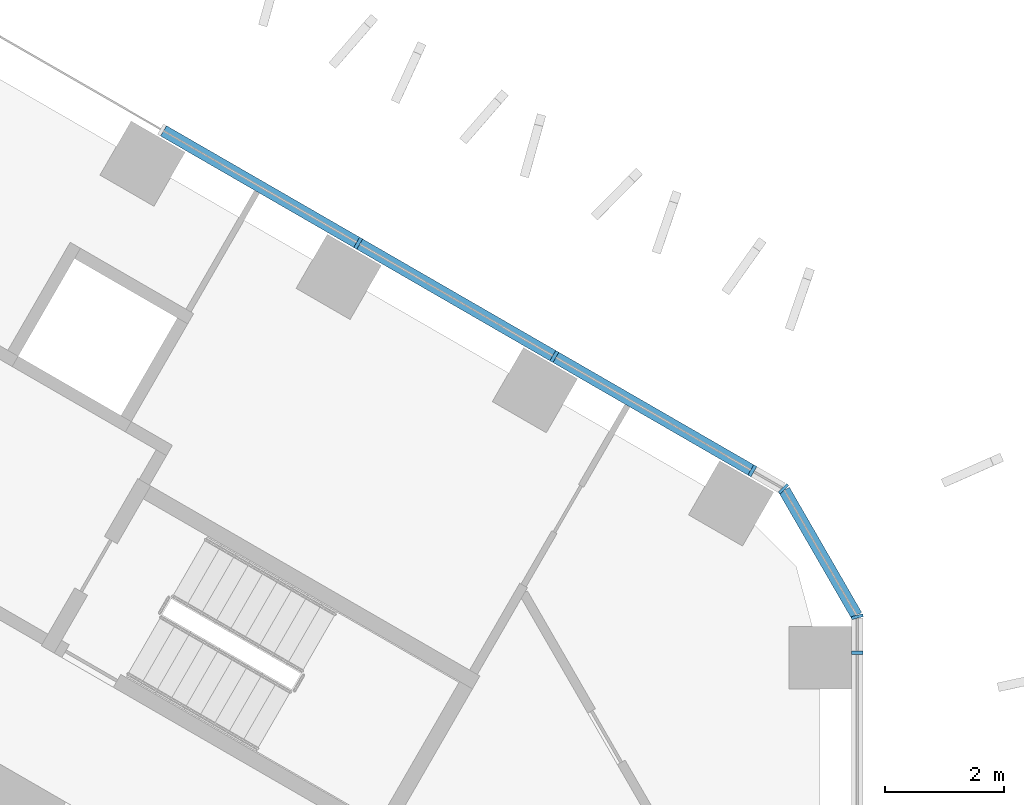
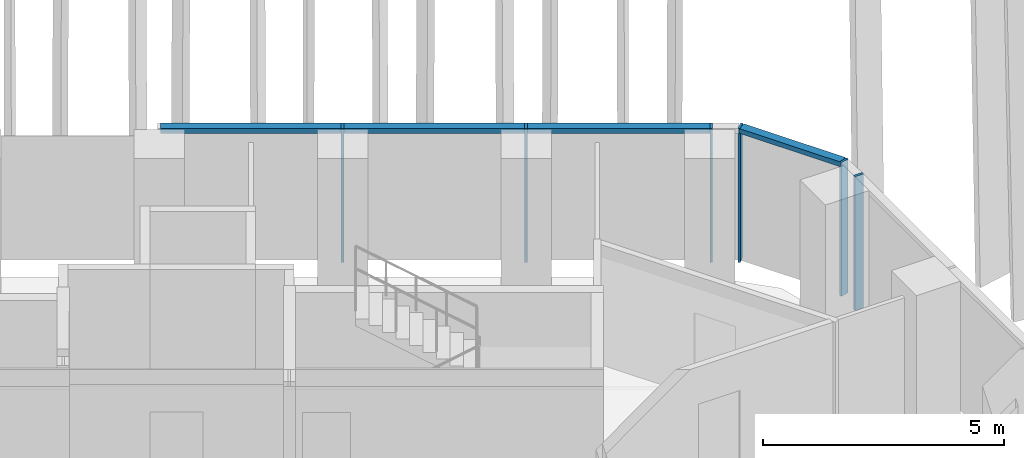
# One storey, part 6 of 18: 8 members, 3 elements without a shape of their own.
"""IFC4 building model written with IfcOpenShell, lengths in metres."""

from ifc_helpers import new_model, si_unit, direction, frame, origin, origin_2d, place, context, subcontext, project, spatial, rectangle, extrude, material, layer, layer_set, material_profile, profile_set, type_object, element, aggregate, save


model = new_model("IFC4")

# Units and contexts
model_context = context("Model", 3, precision=1e-05, world=origin(), true_north=direction((0.0, 1.0)))
body_context = subcontext(model_context, "Body", "Model", "MODEL_VIEW")
ifc_project = project(units=[si_unit("LENGTHUNIT", "METRE"), si_unit("AREAUNIT", "SQUARE_METRE"), si_unit("VOLUMEUNIT", "CUBIC_METRE"), si_unit("PLANEANGLEUNIT", "RADIAN"), si_unit("MASSUNIT", "GRAM", prefix="KILO")], contexts=[model_context])

# Site, building, storey
site_placement = place(None, origin())
site = spatial("IfcSite", under=ifc_project, at=site_placement, CompositionType="ELEMENT")
building_placement = place(site_placement, origin())
building = spatial("IfcBuilding", under=site, at=building_placement, Name="Ayvan Gate Tower", CompositionType="ELEMENT")
storey_placement = place(building_placement, frame((0.0, 0.0, 83.10009765625)))
storey = spatial("IfcBuildingStorey", under=building, at=storey_placement, Name="L21", CompositionType="ELEMENT", Elevation=83.10009765625)

# Curtain wall, member
ifc_material = material(Name="Bronze anodised aluminium", Category="aluminium")
ifc_layer_1 = layer(ifc_material, 0.199951171875)
ifc_layer_set_1 = layer_set([ifc_layer_1], Name="Bronze anodised aluminium")
curtain_wall_type_1 = type_object("IfcCurtainWallType", Name="Stick curtain wall CW-1", PredefinedType="NOTDEFINED", material=ifc_layer_set_1)
curtain_wall_1_placement = place(storey_placement, origin())
curtain_wall_1 = element("IfcCurtainWall", 1, at=curtain_wall_1_placement, inside=storey, type_object=curtain_wall_type_1, Name="Stick curtain wall CW-1 L21", PredefinedType="NOTDEFINED")
ifc_material_profile_1 = material_profile(ifc_material, rectangle(XDim=0.199951171875, YDim=0.06005859375, at=origin_2d()), Name="Stick curtain wall CW-1 mullion 200 x 60")
ifc_profile_set_1 = profile_set([ifc_material_profile_1], Name="Bronze anodised aluminium")
member_type_1 = type_object("IfcMemberType", Name="Stick curtain wall CW-1 mullion 200 x 60", PredefinedType="MULLION", material=ifc_profile_set_1)
member_1_placement = place(storey_placement, frame((20.110595703125, 9.5703125, 0.0), z_axis=(0.0, 0.0, 1.0), x_axis=(1.0, 0.0, 0.0)))
member_1 = element("IfcMember", 2, at=member_1_placement, type_object=member_type_1, Name="CW-1 mullion 6", PredefinedType="MULLION", context=body_context, shape_type="SweptSolid", body=[
    extrude(rectangle(XDim=0.199951171875, YDim=0.06005859375, at=origin_2d()), origin(), (0.0, 0.0, 1.0), 3.39990234375),
])
aggregate(curtain_wall_1, [member_1])

# Curtain wall, members
curtain_wall_2_placement = place(storey_placement, origin())
curtain_wall_2 = element("IfcCurtainWall", 3, at=curtain_wall_2_placement, inside=storey, type_object=curtain_wall_type_1, Name="Stick curtain wall CW-1 L21", PredefinedType="NOTDEFINED")
member_2_placement = place(storey_placement, frame((18.34326171875, 12.631103515625, 0.0), z_axis=(0.0, 0.0, 1.0), x_axis=(0.5, 0.866025403784, 0.0)))
member_2 = element("IfcMember", 4, at=member_2_placement, type_object=member_type_1, Name="CW-1 mullion 1", PredefinedType="MULLION", context=body_context, shape_type="SweptSolid", body=[
    extrude(rectangle(XDim=0.199951171875, YDim=0.06005859375, at=origin_2d()), origin(), (0.0, 0.0, 1.0), 3.39990234375),
])
member_3_placement = place(storey_placement, frame((15.010009765625, 14.5556640625, 0.0), z_axis=(0.0, 0.0, 1.0), x_axis=(0.5, 0.866025403784, 0.0)))
member_3 = element("IfcMember", 5, at=member_3_placement, type_object=member_type_1, Name="CW-1 mullion 2", PredefinedType="MULLION", context=body_context, shape_type="SweptSolid", body=[
    extrude(rectangle(XDim=0.199951171875, YDim=0.06005859375, at=origin_2d()), origin(), (0.0, 0.0, 1.0), 3.39990234375),
])
member_4_placement = place(storey_placement, frame((11.70703125, 16.462646484375, 0.0), z_axis=(0.0, 0.0, 1.0), x_axis=(0.5, 0.866025403784, 0.0)))
member_4 = element("IfcMember", 6, at=member_4_placement, type_object=member_type_1, Name="CW-1 mullion 3", PredefinedType="MULLION", context=body_context, shape_type="SweptSolid", body=[
    extrude(rectangle(XDim=0.199951171875, YDim=0.06005859375, at=origin_2d()), origin(), (0.0, 0.0, 1.0), 3.39990234375),
])
ifc_material_profile_2 = material_profile(ifc_material, rectangle(XDim=0.199951171875, YDim=0.1201171875, at=origin_2d()), Name="Stick curtain wall CW-1 transom 200 x 120")
ifc_profile_set_2 = profile_set([ifc_material_profile_2], Name="Bronze anodised aluminium")
member_type_2 = type_object("IfcMemberType", Name="Stick curtain wall CW-1 transom 200 x 120", PredefinedType="USERDEFINED", material=ifc_profile_set_2)
member_5_placement = place(storey_placement, frame((18.34326171875, 12.631103515625, 3.33984375), z_axis=(-0.866019009971, 0.500011074246, 0.0), x_axis=(-0.500011074246, -0.866019009971, 0.0)))
member_5 = element("IfcMember", 7, at=member_5_placement, type_object=member_type_2, Name="CW-1 transom 1", ObjectType="TRANSOM", PredefinedType="USERDEFINED", context=body_context, shape_type="SweptSolid", body=[
    extrude(rectangle(XDim=0.199951171875, YDim=0.1201171875, at=origin_2d()), origin(), (0.0, 0.0, 1.0), 11.447021484375),
])
aggregate(curtain_wall_2, [member_2, member_3, member_4, member_5])

ifc_layer_2 = layer(ifc_material, 0.199951171875)
ifc_layer_set_2 = layer_set([ifc_layer_2], Name="Bronze anodised aluminium")
curtain_wall_type_2 = type_object("IfcCurtainWallType", Name="Stick curtain wall CW-6", PredefinedType="NOTDEFINED", material=ifc_layer_set_2)
curtain_wall_3_placement = place(storey_placement, origin())
curtain_wall_3 = element("IfcCurtainWall", 8, at=curtain_wall_3_placement, inside=storey, type_object=curtain_wall_type_2, Name="Stick curtain wall CW-6 L21", PredefinedType="NOTDEFINED")
ifc_material_profile_3 = material_profile(ifc_material, rectangle(XDim=0.199951171875, YDim=0.050048828125, at=origin_2d()), Name="Stick curtain wall CW-6 mullion 200 x 50")
ifc_profile_set_3 = profile_set([ifc_material_profile_3], Name="Bronze anodised aluminium")
member_type_3 = type_object("IfcMemberType", Name="Stick curtain wall CW-6 mullion 200 x 50", PredefinedType="MULLION", material=ifc_profile_set_3)
member_6_placement = place(storey_placement, frame((20.110595703125, 10.17529296875, 0.0), z_axis=(0.0, 0.0, 1.0), x_axis=(0.965925826289, 0.258819045103, 0.0)))
member_6 = element("IfcMember", 9, at=member_6_placement, type_object=member_type_3, Name="CW-6 mullion 2", PredefinedType="MULLION", context=body_context, shape_type="SweptSolid", body=[
    extrude(rectangle(XDim=0.199951171875, YDim=0.050048828125, at=origin_2d()), origin(), (0.0, 0.0, 1.0), 3.39990234375),
])
member_7_placement = place(storey_placement, frame((18.8671875, 12.32861328125, 0.0), z_axis=(0.0, 0.0, 1.0), x_axis=(0.707106781187, 0.707106781187, 0.0)))
member_7 = element("IfcMember", 10, at=member_7_placement, type_object=member_type_3, Name="CW-6 mullion 3", PredefinedType="MULLION", context=body_context, shape_type="SweptSolid", body=[
    extrude(rectangle(XDim=0.199951171875, YDim=0.050048828125, at=origin_2d()), origin(), (0.0, 0.0, 1.0), 3.39990234375),
])
ifc_material_profile_4 = material_profile(ifc_material, rectangle(XDim=0.199951171875, YDim=0.1201171875, at=origin_2d()), Name="Stick curtain wall CW-6 transom 200 x 120")
ifc_profile_set_4 = profile_set([ifc_material_profile_4], Name="Bronze anodised aluminium")
member_type_4 = type_object("IfcMemberType", Name="Stick curtain wall CW-6 transom 200 x 120", PredefinedType="USERDEFINED", material=ifc_profile_set_4)
member_8_placement = place(storey_placement, frame((20.09814453125, 10.19677734375, 3.33984375), z_axis=(-0.499997116, 0.866027068856, 0.0), x_axis=(-0.866027068856, -0.499997116, 0.0)))
member_8 = element("IfcMember", 11, at=member_8_placement, type_object=member_type_4, Name="CW-6 transom 2", ObjectType="TRANSOM", PredefinedType="USERDEFINED", context=body_context, shape_type="SweptSolid", body=[
    extrude(rectangle(XDim=0.199951171875, YDim=0.1201171875, at=origin_2d()), origin(), (0.0, 0.0, 1.0), 2.4365234375),
])
aggregate(curtain_wall_3, [member_6, member_7, member_8])

save(model, "model.ifc")
